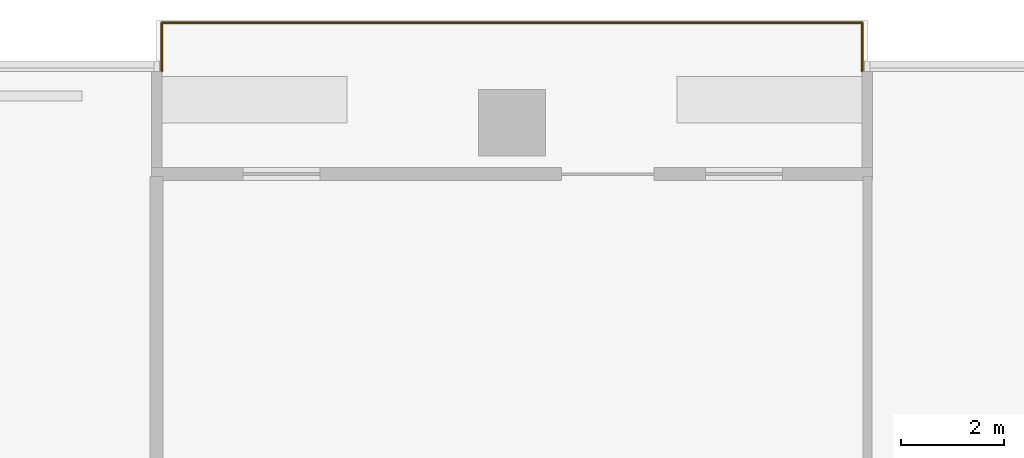
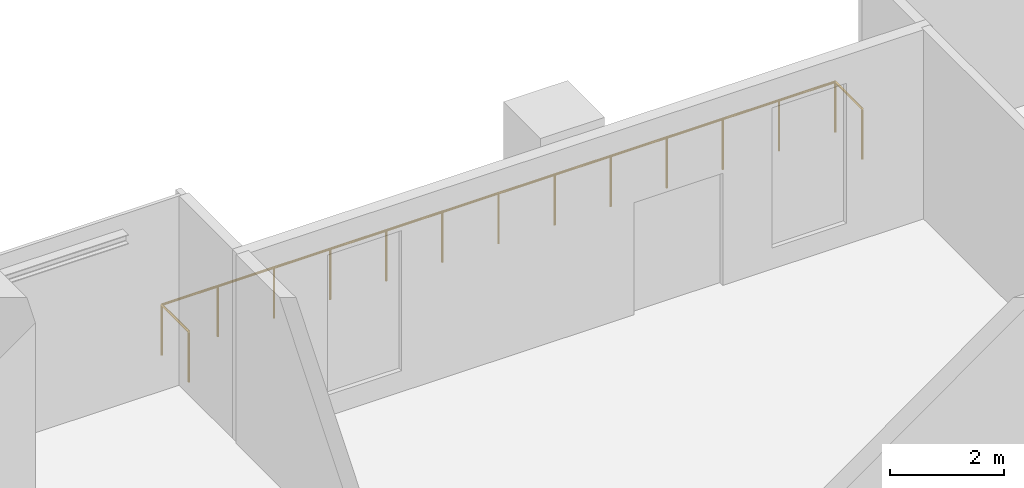
# One storey, part 15 of 15: 1 railing.
"""IFC4 building model written with IfcOpenShell, lengths in metres."""

from ifc_helpers import new_model, si_unit, direction, frame, origin, origin_2d, place, context, subcontext, project, spatial, circle, extrude, material, type_object, element, save


model = new_model("IFC4")

# Units and contexts
model_context = context("Model", 3, precision=1e-05, world=origin(), true_north=direction((0.0, 1.0)))
body_context = subcontext(model_context, "Body", "Model", "MODEL_VIEW")
ifc_project = project(units=[si_unit("LENGTHUNIT", "METRE"), si_unit("AREAUNIT", "SQUARE_METRE"), si_unit("VOLUMEUNIT", "CUBIC_METRE"), si_unit("PLANEANGLEUNIT", "RADIAN"), si_unit("MASSUNIT", "GRAM", prefix="KILO")], contexts=[model_context])

# Site, building, storey
site_placement = place(None, origin())
site = spatial("IfcSite", under=ifc_project, at=site_placement, CompositionType="ELEMENT")
building_placement = place(site_placement, origin())
building = spatial("IfcBuilding", under=site, at=building_placement, Name="Mopane Tessera Tower", CompositionType="ELEMENT")
storey_placement = place(building_placement, frame((0.0, 0.0, 117.10009765625)))
storey = spatial("IfcBuildingStorey", under=building, at=storey_placement, Name="L23", CompositionType="ELEMENT", Elevation=117.10009765625)

# Railing
ifc_material = material(Name="Stainless steel S316", Category="steel")
railing_type = type_object("IfcRailingType", Name="Terrace guard 1100", PredefinedType="GUARDRAIL", material=ifc_material)
railing_placement = place(storey_placement, frame((18.340087890625, 25.5, 0.0)))
element("IfcRailing", 1, at=railing_placement, inside=storey, type_object=railing_type, Name="e:nw:L23:N1:guard", PredefinedType="GUARDRAIL", context=body_context, shape_type="SweptSolid", body=[
    extrude(circle(Radius=0.02392578125, at=origin_2d()), frame((0.0, 0.0, 1.076171875), z_axis=(0.0, 1.0, 0.0), x_axis=(-1.0, 0.0, 0.0)), (0.0, 0.0, 1.0), 0.949951171875),
    extrude(circle(Radius=0.02392578125, at=origin_2d()), frame((0.0, 0.949951171875, 1.076171875), z_axis=(-1.0, 0.0, 0.0), x_axis=(0.0, -1.0, 0.0)), (0.0, 0.0, 1.0), 13.630126953125),
    extrude(circle(Radius=0.02392578125, at=origin_2d()), frame((-13.630126953125, 0.949951171875, 1.076171875), z_axis=(0.0, -1.0, 0.0), x_axis=(1.0, 0.0, 0.0)), (0.0, 0.0, 1.0), 0.949951171875),
    extrude(circle(Radius=0.02099609375, at=origin_2d()), origin(), (0.0, 0.0, 1.0), 1.052001953125),
    extrude(circle(Radius=0.02099609375, at=origin_2d()), frame((0.0, 0.949951171875, 0.0)), (0.0, 0.0, 1.0), 1.052001953125),
    extrude(circle(Radius=0.02099609375, at=origin_2d()), frame((-1.1357421875, 0.949951171875, 0.0)), (0.0, 0.0, 1.0), 1.052001953125),
    extrude(circle(Radius=0.02099609375, at=origin_2d()), frame((-2.271728515625, 0.949951171875, 0.0)), (0.0, 0.0, 1.0), 1.052001953125),
    extrude(circle(Radius=0.02099609375, at=origin_2d()), frame((-3.407470703125, 0.949951171875, 0.0)), (0.0, 0.0, 1.0), 1.052001953125),
    extrude(circle(Radius=0.02099609375, at=origin_2d()), frame((-4.54345703125, 0.949951171875, 0.0)), (0.0, 0.0, 1.0), 1.052001953125),
    extrude(circle(Radius=0.02099609375, at=origin_2d()), frame((-5.67919921875, 0.949951171875, 0.0)), (0.0, 0.0, 1.0), 1.052001953125),
    extrude(circle(Radius=0.02099609375, at=origin_2d()), frame((-6.81494140625, 0.949951171875, 0.0)), (0.0, 0.0, 1.0), 1.052001953125),
    extrude(circle(Radius=0.02099609375, at=origin_2d()), frame((-7.950927734375, 0.949951171875, 0.0)), (0.0, 0.0, 1.0), 1.052001953125),
    extrude(circle(Radius=0.02099609375, at=origin_2d()), frame((-9.086669921875, 0.949951171875, 0.0)), (0.0, 0.0, 1.0), 1.052001953125),
    extrude(circle(Radius=0.02099609375, at=origin_2d()), frame((-10.22265625, 0.949951171875, 0.0)), (0.0, 0.0, 1.0), 1.052001953125),
    extrude(circle(Radius=0.02099609375, at=origin_2d()), frame((-11.3583984375, 0.949951171875, 0.0)), (0.0, 0.0, 1.0), 1.052001953125),
    extrude(circle(Radius=0.02099609375, at=origin_2d()), frame((-12.494384765625, 0.949951171875, 0.0)), (0.0, 0.0, 1.0), 1.052001953125),
    extrude(circle(Radius=0.02099609375, at=origin_2d()), frame((-13.630126953125, 0.949951171875, 0.0)), (0.0, 0.0, 1.0), 1.052001953125),
    extrude(circle(Radius=0.02099609375, at=origin_2d()), frame((-13.630126953125, 0.0, 0.0)), (0.0, 0.0, 1.0), 1.052001953125),
])

save(model, "model.ifc")
